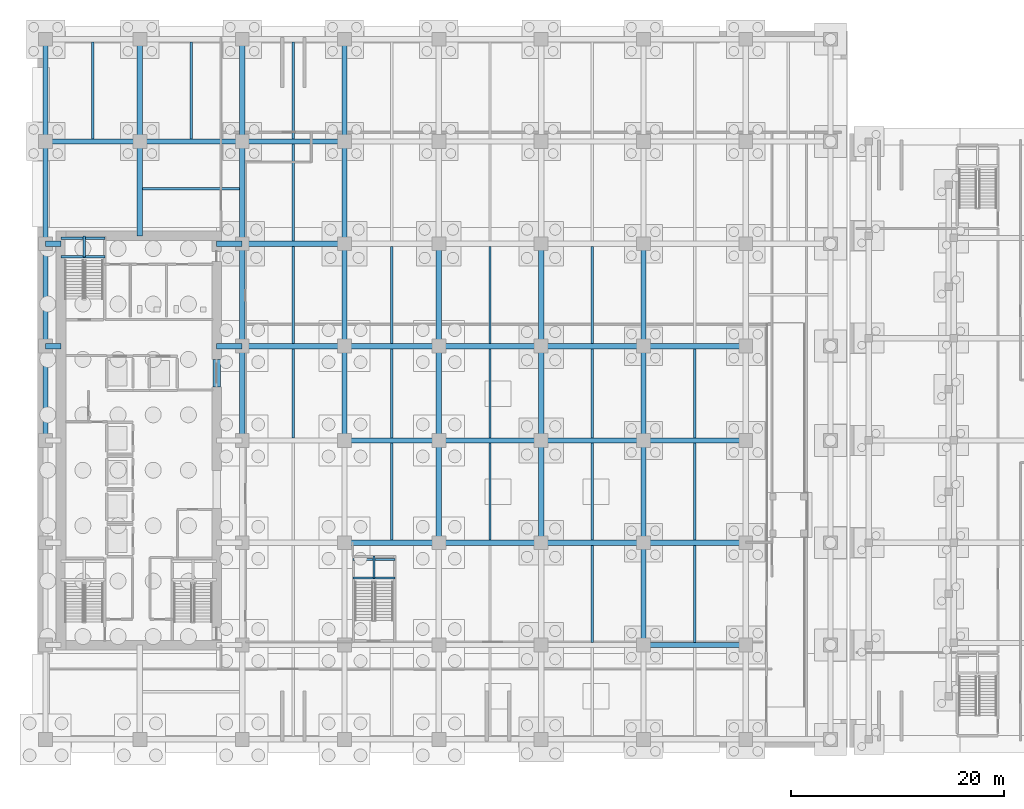
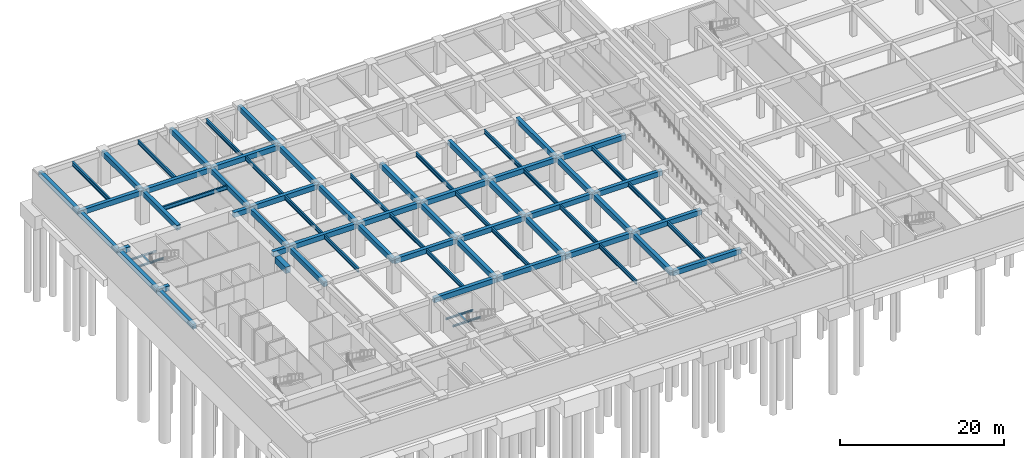
# One storey, part 5 of 20: 73 beams.
"""IFC4 building model written with IfcOpenShell, lengths in metres."""

from ifc_helpers import new_model, si_unit, direction, frame, origin, origin_2d, place, context, subcontext, project, spatial, rectangle, i_section, extrude, material, material_profile, profile_set, type_object, element, save


model = new_model("IFC4")

# Units and contexts
model_context = context("Model", 3, precision=1e-05, world=origin(), true_north=direction((0.0, 1.0)))
body_context = subcontext(model_context, "Body", "Model", "MODEL_VIEW")
ifc_project = project(units=[si_unit("LENGTHUNIT", "METRE"), si_unit("AREAUNIT", "SQUARE_METRE"), si_unit("VOLUMEUNIT", "CUBIC_METRE"), si_unit("PLANEANGLEUNIT", "RADIAN"), si_unit("MASSUNIT", "GRAM", prefix="KILO")], contexts=[model_context])

# Site, building, storey
site_placement = place(None, origin())
site = spatial("IfcSite", under=ifc_project, at=site_placement, CompositionType="ELEMENT")
building_placement = place(site_placement, origin())
building = spatial("IfcBuilding", under=site, at=building_placement, Name="Norrvale University Quadrangle", CompositionType="ELEMENT")
storey_placement = place(building_placement, frame((0.0, 0.0, -5.0)))
storey = spatial("IfcBuildingStorey", under=building, at=storey_placement, Name="B01", CompositionType="ELEMENT", Elevation=-5.0)

# Beams
ifc_material_1 = material(Name="Concrete C80/95", Category="concrete")
ifc_material_profile_1 = material_profile(ifc_material_1, rectangle(XDim=0.699951171875, YDim=0.949951171875, at=origin_2d()), Name="Concrete C80/95")
ifc_profile_set_1 = profile_set([ifc_material_profile_1], Name="Concrete C80/95")
beam_type_1 = type_object("IfcBeamType", Name="Beam Core Link 700x950", PredefinedType="LINTEL", material=ifc_profile_set_1)
beam_1_placement = place(storey_placement, frame((16.800048828125, 33.800048828125, 4.18505859375), z_axis=(0.0, 1.0, 0.0), x_axis=(-1.0, 0.0, 0.0)))
element("IfcBeam", 1, at=beam_1_placement, inside=storey, type_object=beam_type_1, Name="Core Coupling Lintel Beam B01-2", PredefinedType="LINTEL", context=body_context, shape_type="SweptSolid", body=[
    extrude(rectangle(XDim=0.699951171875, YDim=0.949951171875, at=origin_2d()), origin(), (0.0, 0.0, 1.0), 2.599853515625),
])
ifc_material_2 = material(Name="Concrete C60/75", Category="concrete")
ifc_material_profile_2 = material_profile(ifc_material_2, rectangle(XDim=0.5, YDim=0.75, at=origin_2d()), Name="Concrete C60/75")
ifc_profile_set_2 = profile_set([ifc_material_profile_2], Name="Concrete C60/75")
beam_type_2 = type_object("IfcBeamType", Name="Beam Edge 500x750", PredefinedType="BEAM", material=ifc_profile_set_2)
beam_2_placement = place(storey_placement, frame((56.85009765625, 9.60009765625, 4.405029296875), z_axis=(1.0, 0.0, 0.0), x_axis=(0.0, 1.0, 0.0)))
element("IfcBeam", 2, at=beam_2_placement, inside=storey, type_object=beam_type_2, Name="Beam Edge 500x750 BM-B01-GX013", PredefinedType="BEAM", context=body_context, shape_type="SweptSolid", body=[
    extrude(rectangle(XDim=0.5, YDim=0.75, at=origin_2d()), origin(), (0.0, 0.0, 1.0), 9.599853515625),
])
beam_3_placement = place(storey_placement, frame((28.800048828125, 19.199951171875, 4.405029296875), z_axis=(1.0, 0.0, 0.0), x_axis=(0.0, 1.0, 0.0)))
element("IfcBeam", 3, at=beam_3_placement, inside=storey, type_object=beam_type_2, Name="Beam Edge 500x750 BM-B01-GX015", PredefinedType="BEAM", context=body_context, shape_type="SweptSolid", body=[
    extrude(rectangle(XDim=0.5, YDim=0.75, at=origin_2d()), origin(), (0.0, 0.0, 1.0), 8.849853515625),
])
for number, where, z_axis, x_axis, name in (
    (4, (37.64990234375, 19.199951171875, 4.405029296875), (1.0, 0.0, 0.0), (0.0, 1.0, 0.0), "Beam Edge 500x750 BM-B01-GX016"),
    (5, (47.25, 19.199951171875, 4.405029296875), (1.0, 0.0, 0.0), (0.0, 1.0, 0.0), "Beam Edge 500x750 BM-B01-GX017"),
):
    element("IfcBeam", number, at=place(storey_placement, frame(where, z_axis=z_axis, x_axis=x_axis)), inside=storey, type_object=beam_type_2, Name=name, PredefinedType="BEAM", context=body_context, shape_type="SweptSolid", body=[
        extrude(rectangle(XDim=0.5, YDim=0.75, at=origin_2d()), origin(), (0.0, 0.0, 1.0), 9.60009765625),
    ])
beam_4_placement = place(storey_placement, frame((56.85009765625, 19.199951171875, 4.405029296875), z_axis=(1.0, 0.0, 0.0), x_axis=(0.0, 1.0, 0.0)))
element("IfcBeam", 6, at=beam_4_placement, inside=storey, type_object=beam_type_2, Name="Beam Edge 500x750 BM-B01-GX018", PredefinedType="BEAM", context=body_context, shape_type="SweptSolid", body=[
    extrude(rectangle(XDim=0.5, YDim=0.75, at=origin_2d()), origin(), (0.0, 0.0, 1.0), 9.599853515625),
])
beam_5_placement = place(storey_placement, frame((28.800048828125, 28.800048828125, 4.405029296875), z_axis=(1.0, 0.0, 0.0), x_axis=(0.0, 1.0, 0.0)))
element("IfcBeam", 7, at=beam_5_placement, inside=storey, type_object=beam_type_2, Name="Beam Edge 500x750 BM-B01-GX020", PredefinedType="BEAM", context=body_context, shape_type="SweptSolid", body=[
    extrude(rectangle(XDim=0.5, YDim=0.75, at=origin_2d()), origin(), (0.0, 0.0, 1.0), 8.849853515625),
])
for number, where, z_axis, x_axis, name in (
    (8, (37.64990234375, 28.800048828125, 4.405029296875), (1.0, 0.0, 0.0), (0.0, 1.0, 0.0), "Beam Edge 500x750 BM-B01-GX021"),
    (9, (47.25, 28.800048828125, 4.405029296875), (1.0, 0.0, 0.0), (0.0, 1.0, 0.0), "Beam Edge 500x750 BM-B01-GX022"),
):
    element("IfcBeam", number, at=place(storey_placement, frame(where, z_axis=z_axis, x_axis=x_axis)), inside=storey, type_object=beam_type_2, Name=name, PredefinedType="BEAM", context=body_context, shape_type="SweptSolid", body=[
        extrude(rectangle(XDim=0.5, YDim=0.75, at=origin_2d()), origin(), (0.0, 0.0, 1.0), 9.60009765625),
    ])
beam_6_placement = place(storey_placement, frame((56.85009765625, 28.800048828125, 4.405029296875), z_axis=(1.0, 0.0, 0.0), x_axis=(0.0, 1.0, 0.0)))
element("IfcBeam", 10, at=beam_6_placement, inside=storey, type_object=beam_type_2, Name="Beam Edge 500x750 BM-B01-GX023", PredefinedType="BEAM", context=body_context, shape_type="SweptSolid", body=[
    extrude(rectangle(XDim=0.5, YDim=0.75, at=origin_2d()), origin(), (0.0, 0.0, 1.0), 9.599853515625),
])
beam_7_placement = place(storey_placement, frame((19.199951171875, 37.64990234375, 4.405029296875), z_axis=(1.0, 0.0, 0.0), x_axis=(0.0, 1.0, 0.0)))
element("IfcBeam", 11, at=beam_7_placement, inside=storey, type_object=beam_type_2, Name="Beam Edge 500x750 BM-B01-GX024", PredefinedType="BEAM", context=body_context, shape_type="SweptSolid", body=[
    extrude(rectangle(XDim=0.5, YDim=0.75, at=origin_2d()), origin(), (0.0, 0.0, 1.0), 9.60009765625),
])
beam_8_placement = place(storey_placement, frame((28.800048828125, 37.64990234375, 4.405029296875), z_axis=(1.0, 0.0, 0.0), x_axis=(0.0, 1.0, 0.0)))
element("IfcBeam", 12, at=beam_8_placement, inside=storey, type_object=beam_type_2, Name="Beam Edge 500x750 BM-B01-GX025", PredefinedType="BEAM", context=body_context, shape_type="SweptSolid", body=[
    extrude(rectangle(XDim=0.5, YDim=0.75, at=origin_2d()), origin(), (0.0, 0.0, 1.0), 8.849853515625),
])
for number, where, z_axis, x_axis, name in (
    (13, (37.64990234375, 37.64990234375, 4.405029296875), (1.0, 0.0, 0.0), (0.0, 1.0, 0.0), "Beam Edge 500x750 BM-B01-GX026"),
    (14, (47.25, 37.64990234375, 4.405029296875), (1.0, 0.0, 0.0), (0.0, 1.0, 0.0), "Beam Edge 500x750 BM-B01-GX027"),
):
    element("IfcBeam", number, at=place(storey_placement, frame(where, z_axis=z_axis, x_axis=x_axis)), inside=storey, type_object=beam_type_2, Name=name, PredefinedType="BEAM", context=body_context, shape_type="SweptSolid", body=[
        extrude(rectangle(XDim=0.5, YDim=0.75, at=origin_2d()), origin(), (0.0, 0.0, 1.0), 9.60009765625),
    ])
beam_9_placement = place(storey_placement, frame((56.85009765625, 37.64990234375, 4.405029296875), z_axis=(1.0, 0.0, 0.0), x_axis=(0.0, 1.0, 0.0)))
element("IfcBeam", 15, at=beam_9_placement, inside=storey, type_object=beam_type_2, Name="Beam Edge 500x750 BM-B01-GX028", PredefinedType="BEAM", context=body_context, shape_type="SweptSolid", body=[
    extrude(rectangle(XDim=0.5, YDim=0.75, at=origin_2d()), origin(), (0.0, 0.0, 1.0), 9.599853515625),
])
beam_10_placement = place(storey_placement, frame((19.199951171875, 47.25, 4.405029296875), z_axis=(1.0, 0.0, 0.0), x_axis=(0.0, 1.0, 0.0)))
element("IfcBeam", 16, at=beam_10_placement, inside=storey, type_object=beam_type_2, Name="Beam Edge 500x750 BM-B01-GX029", PredefinedType="BEAM", context=body_context, shape_type="SweptSolid", body=[
    extrude(rectangle(XDim=0.5, YDim=0.75, at=origin_2d()), origin(), (0.0, 0.0, 1.0), 9.60009765625),
])
beam_11_placement = place(storey_placement, frame((0.75, 56.85009765625, 4.405029296875), z_axis=(1.0, 0.0, 0.0), x_axis=(0.0, 1.0, 0.0)))
element("IfcBeam", 17, at=beam_11_placement, inside=storey, type_object=beam_type_2, Name="Beam Edge 500x750 BM-B01-GX035", PredefinedType="BEAM", context=body_context, shape_type="SweptSolid", body=[
    extrude(rectangle(XDim=0.5, YDim=0.75, at=origin_2d()), origin(), (0.0, 0.0, 1.0), 8.85009765625),
])
beam_12_placement = place(storey_placement, frame((9.60009765625, 56.85009765625, 4.405029296875), z_axis=(1.0, 0.0, 0.0), x_axis=(0.0, 1.0, 0.0)))
element("IfcBeam", 18, at=beam_12_placement, inside=storey, type_object=beam_type_2, Name="Beam Edge 500x750 BM-B01-GX036", PredefinedType="BEAM", context=body_context, shape_type="SweptSolid", body=[
    extrude(rectangle(XDim=0.5, YDim=0.75, at=origin_2d()), origin(), (0.0, 0.0, 1.0), 9.599853515625),
])
beam_13_placement = place(storey_placement, frame((19.199951171875, 56.85009765625, 4.405029296875), z_axis=(1.0, 0.0, 0.0), x_axis=(0.0, 1.0, 0.0)))
element("IfcBeam", 19, at=beam_13_placement, inside=storey, type_object=beam_type_2, Name="Beam Edge 500x750 BM-B01-GX037", PredefinedType="BEAM", context=body_context, shape_type="SweptSolid", body=[
    extrude(rectangle(XDim=0.5, YDim=0.75, at=origin_2d()), origin(), (0.0, 0.0, 1.0), 9.60009765625),
])
beam_14_placement = place(storey_placement, frame((0.75, 28.800048828125, 4.405029296875), z_axis=(0.0, 1.0, 0.0), x_axis=(-1.0, 0.0, 0.0)))
element("IfcBeam", 20, at=beam_14_placement, inside=storey, type_object=beam_type_2, Name="Beam Edge 500x750 BM-B01-GY054", PredefinedType="BEAM", context=body_context, shape_type="SweptSolid", body=[
    extrude(rectangle(XDim=0.5, YDim=0.75, at=origin_2d()), origin(), (0.0, 0.0, 1.0), 8.849853515625),
])
for number, where, z_axis, x_axis, name in (
    (21, (0.75, 37.64990234375, 4.405029296875), (0.0, 1.0, 0.0), (-1.0, 0.0, 0.0), "Beam Edge 500x750 BM-B01-GY055"),
    (22, (0.75, 47.25, 4.405029296875), (0.0, 1.0, 0.0), (-1.0, 0.0, 0.0), "Beam Edge 500x750 BM-B01-GY056"),
):
    element("IfcBeam", number, at=place(storey_placement, frame(where, z_axis=z_axis, x_axis=x_axis)), inside=storey, type_object=beam_type_2, Name=name, PredefinedType="BEAM", context=body_context, shape_type="SweptSolid", body=[
        extrude(rectangle(XDim=0.5, YDim=0.75, at=origin_2d()), origin(), (0.0, 0.0, 1.0), 9.60009765625),
    ])
for number, where, z_axis, x_axis, name in (
    (23, (0.75, 56.85009765625, 4.405029296875), (0.0, 1.0, 0.0), (-1.0, 0.0, 0.0), "Beam Edge 500x750 BM-B01-GY057"),
    (24, (9.60009765625, 56.85009765625, 4.405029296875), (0.0, 1.0, 0.0), (-1.0, 0.0, 0.0), "Beam Edge 500x750 BM-B01-GY058"),
):
    element("IfcBeam", number, at=place(storey_placement, frame(where, z_axis=z_axis, x_axis=x_axis)), inside=storey, type_object=beam_type_2, Name=name, PredefinedType="BEAM", context=body_context, shape_type="SweptSolid", body=[
        extrude(rectangle(XDim=0.5, YDim=0.75, at=origin_2d()), origin(), (0.0, 0.0, 1.0), 9.599853515625),
    ])
beam_15_placement = place(storey_placement, frame((19.199951171875, 28.800048828125, 4.284912109375), z_axis=(0.0, 1.0, 0.0), x_axis=(-1.0, 0.0, 0.0)))
element("IfcBeam", 25, at=beam_15_placement, inside=storey, type_object=beam_type_2, Name="Beam Edge 500x750 BM-B01-GY062", PredefinedType="BEAM", context=body_context, shape_type="SweptSolid", body=[
    extrude(rectangle(XDim=0.5, YDim=0.75, at=origin_2d()), origin(), (0.0, 0.0, 1.0), 8.849853515625),
])
for number, where, z_axis, x_axis, name in (
    (26, (19.199951171875, 37.64990234375, 4.284912109375), (0.0, 1.0, 0.0), (-1.0, 0.0, 0.0), "Beam Edge 500x750 BM-B01-GY063"),
    (27, (19.199951171875, 47.25, 4.405029296875), (0.0, 1.0, 0.0), (-1.0, 0.0, 0.0), "Beam Edge 500x750 BM-B01-GY064"),
):
    element("IfcBeam", number, at=place(storey_placement, frame(where, z_axis=z_axis, x_axis=x_axis)), inside=storey, type_object=beam_type_2, Name=name, PredefinedType="BEAM", context=body_context, shape_type="SweptSolid", body=[
        extrude(rectangle(XDim=0.5, YDim=0.75, at=origin_2d()), origin(), (0.0, 0.0, 1.0), 9.60009765625),
    ])
beam_16_placement = place(storey_placement, frame((19.199951171875, 56.85009765625, 4.405029296875), z_axis=(0.0, 1.0, 0.0), x_axis=(-1.0, 0.0, 0.0)))
element("IfcBeam", 28, at=beam_16_placement, inside=storey, type_object=beam_type_2, Name="Beam Edge 500x750 BM-B01-GY065", PredefinedType="BEAM", context=body_context, shape_type="SweptSolid", body=[
    extrude(rectangle(XDim=0.5, YDim=0.75, at=origin_2d()), origin(), (0.0, 0.0, 1.0), 9.599853515625),
])
beam_17_placement = place(storey_placement, frame((28.800048828125, 28.800048828125, 4.405029296875), z_axis=(0.0, 1.0, 0.0), x_axis=(-1.0, 0.0, 0.0)))
element("IfcBeam", 29, at=beam_17_placement, inside=storey, type_object=beam_type_2, Name="Beam Edge 500x750 BM-B01-GY069", PredefinedType="BEAM", context=body_context, shape_type="SweptSolid", body=[
    extrude(rectangle(XDim=0.5, YDim=0.75, at=origin_2d()), origin(), (0.0, 0.0, 1.0), 8.849853515625),
])
for number, where, z_axis, x_axis, name in (
    (30, (28.800048828125, 37.64990234375, 4.405029296875), (0.0, 1.0, 0.0), (-1.0, 0.0, 0.0), "Beam Edge 500x750 BM-B01-GY070"),
    (31, (28.800048828125, 47.25, 4.405029296875), (0.0, 1.0, 0.0), (-1.0, 0.0, 0.0), "Beam Edge 500x750 BM-B01-GY071"),
):
    element("IfcBeam", number, at=place(storey_placement, frame(where, z_axis=z_axis, x_axis=x_axis)), inside=storey, type_object=beam_type_2, Name=name, PredefinedType="BEAM", context=body_context, shape_type="SweptSolid", body=[
        extrude(rectangle(XDim=0.5, YDim=0.75, at=origin_2d()), origin(), (0.0, 0.0, 1.0), 9.60009765625),
    ])
beam_18_placement = place(storey_placement, frame((28.800048828125, 56.85009765625, 4.405029296875), z_axis=(0.0, 1.0, 0.0), x_axis=(-1.0, 0.0, 0.0)))
element("IfcBeam", 32, at=beam_18_placement, inside=storey, type_object=beam_type_2, Name="Beam Edge 500x750 BM-B01-GY072", PredefinedType="BEAM", context=body_context, shape_type="SweptSolid", body=[
    extrude(rectangle(XDim=0.5, YDim=0.75, at=origin_2d()), origin(), (0.0, 0.0, 1.0), 9.599853515625),
])
beam_19_placement = place(storey_placement, frame((37.64990234375, 19.199951171875, 4.405029296875), z_axis=(0.0, 1.0, 0.0), x_axis=(-1.0, 0.0, 0.0)))
element("IfcBeam", 33, at=beam_19_placement, inside=storey, type_object=beam_type_2, Name="Beam Edge 500x750 BM-B01-GY075", PredefinedType="BEAM", context=body_context, shape_type="SweptSolid", body=[
    extrude(rectangle(XDim=0.5, YDim=0.75, at=origin_2d()), origin(), (0.0, 0.0, 1.0), 9.60009765625),
])
beam_20_placement = place(storey_placement, frame((37.64990234375, 28.800048828125, 4.405029296875), z_axis=(0.0, 1.0, 0.0), x_axis=(-1.0, 0.0, 0.0)))
element("IfcBeam", 34, at=beam_20_placement, inside=storey, type_object=beam_type_2, Name="Beam Edge 500x750 BM-B01-GY076", PredefinedType="BEAM", context=body_context, shape_type="SweptSolid", body=[
    extrude(rectangle(XDim=0.5, YDim=0.75, at=origin_2d()), origin(), (0.0, 0.0, 1.0), 8.849853515625),
])
for number, where, z_axis, x_axis, name in (
    (35, (37.64990234375, 37.64990234375, 4.405029296875), (0.0, 1.0, 0.0), (-1.0, 0.0, 0.0), "Beam Edge 500x750 BM-B01-GY077"),
    (36, (47.25, 19.199951171875, 4.405029296875), (0.0, 1.0, 0.0), (-1.0, 0.0, 0.0), "Beam Edge 500x750 BM-B01-GY082"),
):
    element("IfcBeam", number, at=place(storey_placement, frame(where, z_axis=z_axis, x_axis=x_axis)), inside=storey, type_object=beam_type_2, Name=name, PredefinedType="BEAM", context=body_context, shape_type="SweptSolid", body=[
        extrude(rectangle(XDim=0.5, YDim=0.75, at=origin_2d()), origin(), (0.0, 0.0, 1.0), 9.60009765625),
    ])
beam_21_placement = place(storey_placement, frame((47.25, 28.800048828125, 4.405029296875), z_axis=(0.0, 1.0, 0.0), x_axis=(-1.0, 0.0, 0.0)))
element("IfcBeam", 37, at=beam_21_placement, inside=storey, type_object=beam_type_2, Name="Beam Edge 500x750 BM-B01-GY083", PredefinedType="BEAM", context=body_context, shape_type="SweptSolid", body=[
    extrude(rectangle(XDim=0.5, YDim=0.75, at=origin_2d()), origin(), (0.0, 0.0, 1.0), 8.849853515625),
])
beam_22_placement = place(storey_placement, frame((47.25, 37.64990234375, 4.405029296875), z_axis=(0.0, 1.0, 0.0), x_axis=(-1.0, 0.0, 0.0)))
element("IfcBeam", 38, at=beam_22_placement, inside=storey, type_object=beam_type_2, Name="Beam Edge 500x750 BM-B01-GY084", PredefinedType="BEAM", context=body_context, shape_type="SweptSolid", body=[
    extrude(rectangle(XDim=0.5, YDim=0.75, at=origin_2d()), origin(), (0.0, 0.0, 1.0), 9.60009765625),
])
beam_23_placement = place(storey_placement, frame((56.85009765625, 9.60009765625, 4.405029296875), z_axis=(0.0, 1.0, 0.0), x_axis=(-1.0, 0.0, 0.0)))
element("IfcBeam", 39, at=beam_23_placement, inside=storey, type_object=beam_type_2, Name="Beam Edge 500x750 BM-B01-GY088", PredefinedType="BEAM", context=body_context, shape_type="SweptSolid", body=[
    extrude(rectangle(XDim=0.5, YDim=0.75, at=origin_2d()), origin(), (0.0, 0.0, 1.0), 9.599853515625),
])
beam_24_placement = place(storey_placement, frame((56.85009765625, 19.199951171875, 4.405029296875), z_axis=(0.0, 1.0, 0.0), x_axis=(-1.0, 0.0, 0.0)))
element("IfcBeam", 40, at=beam_24_placement, inside=storey, type_object=beam_type_2, Name="Beam Edge 500x750 BM-B01-GY089", PredefinedType="BEAM", context=body_context, shape_type="SweptSolid", body=[
    extrude(rectangle(XDim=0.5, YDim=0.75, at=origin_2d()), origin(), (0.0, 0.0, 1.0), 9.60009765625),
])
beam_25_placement = place(storey_placement, frame((56.85009765625, 28.800048828125, 4.405029296875), z_axis=(0.0, 1.0, 0.0), x_axis=(-1.0, 0.0, 0.0)))
element("IfcBeam", 41, at=beam_25_placement, inside=storey, type_object=beam_type_2, Name="Beam Edge 500x750 BM-B01-GY090", PredefinedType="BEAM", context=body_context, shape_type="SweptSolid", body=[
    extrude(rectangle(XDim=0.5, YDim=0.75, at=origin_2d()), origin(), (0.0, 0.0, 1.0), 8.849853515625),
])
beam_26_placement = place(storey_placement, frame((56.85009765625, 37.64990234375, 4.405029296875), z_axis=(0.0, 1.0, 0.0), x_axis=(-1.0, 0.0, 0.0)))
element("IfcBeam", 42, at=beam_26_placement, inside=storey, type_object=beam_type_2, Name="Beam Edge 500x750 BM-B01-GY091", PredefinedType="BEAM", context=body_context, shape_type="SweptSolid", body=[
    extrude(rectangle(XDim=0.5, YDim=0.75, at=origin_2d()), origin(), (0.0, 0.0, 1.0), 9.60009765625),
])
beam_27_placement = place(storey_placement, frame((0.75, 37.64990234375, 4.405029296875), z_axis=(1.0, 0.0, 0.0), x_axis=(0.0, 1.0, 0.0)))
element("IfcBeam", 43, at=beam_27_placement, inside=storey, type_object=beam_type_2, Name="Beam Edge 500x750 BM-B01-GCW114", PredefinedType="BEAM", context=body_context, shape_type="SweptSolid", body=[
    extrude(rectangle(XDim=0.5, YDim=0.75, at=origin_2d()), origin(), (0.0, 0.0, 1.0), 1.449951171875),
])
beam_28_placement = place(storey_placement, frame((16.800048828125, 37.64990234375, 4.284912109375), z_axis=(1.0, 0.0, 0.0), x_axis=(0.0, 1.0, 0.0)))
element("IfcBeam", 44, at=beam_28_placement, inside=storey, type_object=beam_type_2, Name="Beam Edge 500x750 BM-B01-GCE115", PredefinedType="BEAM", context=body_context, shape_type="SweptSolid", body=[
    extrude(rectangle(XDim=0.5, YDim=0.75, at=origin_2d()), origin(), (0.0, 0.0, 1.0), 2.39990234375),
])
beam_29_placement = place(storey_placement, frame((0.75, 47.25, 4.405029296875), z_axis=(1.0, 0.0, 0.0), x_axis=(0.0, 1.0, 0.0)))
element("IfcBeam", 45, at=beam_29_placement, inside=storey, type_object=beam_type_2, Name="Beam Edge 500x750 BM-B01-GCW116", PredefinedType="BEAM", context=body_context, shape_type="SweptSolid", body=[
    extrude(rectangle(XDim=0.5, YDim=0.75, at=origin_2d()), origin(), (0.0, 0.0, 1.0), 1.449951171875),
])
beam_30_placement = place(storey_placement, frame((16.800048828125, 47.25, 4.284912109375), z_axis=(1.0, 0.0, 0.0), x_axis=(0.0, 1.0, 0.0)))
element("IfcBeam", 46, at=beam_30_placement, inside=storey, type_object=beam_type_2, Name="Beam Edge 500x750 BM-B01-GCE117", PredefinedType="BEAM", context=body_context, shape_type="SweptSolid", body=[
    extrude(rectangle(XDim=0.5, YDim=0.75, at=origin_2d()), origin(), (0.0, 0.0, 1.0), 2.39990234375),
])
beam_31_placement = place(storey_placement, frame((9.60009765625, 48.0, 4.405029296875), z_axis=(0.0, 1.0, 0.0), x_axis=(-1.0, 0.0, 0.0)))
element("IfcBeam", 47, at=beam_31_placement, inside=storey, type_object=beam_type_2, Name="Beam Edge 500x750 BM-B01-GCN159", PredefinedType="BEAM", context=body_context, shape_type="SweptSolid", body=[
    extrude(rectangle(XDim=0.5, YDim=0.75, at=origin_2d()), origin(), (0.0, 0.0, 1.0), 8.85009765625),
])
ifc_material_3 = material(Name="Steel 350W", Category="steel")
ifc_material_profile_3 = material_profile(ifc_material_3, i_section(OverallWidth=0.22998046875, OverallDepth=0.616943359375, WebThickness=0.01318359375, FlangeThickness=0.022216796875, FilletRadius=0.01611328125, at=origin_2d()), Name="Steel 350W")
ifc_profile_set_3 = profile_set([ifc_material_profile_3], Name="Steel 350W")
beam_type_3 = type_object("IfcBeamType", Name="Beam Floor W610x140", PredefinedType="BEAM", material=ifc_profile_set_3)
for number, where, z_axis, x_axis, name in (
    (48, (5.175048828125, 57.10009765625, 4.471435546875), (0.0, 1.0, 0.0), (-1.0, 0.0, 0.0), "Beam Floor W610x140 BM-B01-J118"),
    (49, (14.39990234375, 57.10009765625, 4.471435546875), (0.0, 1.0, 0.0), (-1.0, 0.0, 0.0), "Beam Floor W610x140 BM-B01-J119"),
):
    element("IfcBeam", number, at=place(storey_placement, frame(where, z_axis=z_axis, x_axis=x_axis)), inside=storey, type_object=beam_type_3, Name=name, PredefinedType="BEAM", context=body_context, shape_type="SweptSolid", body=[
        extrude(i_section(OverallWidth=0.22998046875, OverallDepth=0.616943359375, WebThickness=0.01318359375, FlangeThickness=0.022216796875, FilletRadius=0.01611328125, at=origin_2d()), origin(), (0.0, 0.0, 1.0), 9.099853515625),
    ])
beam_32_placement = place(storey_placement, frame((24.0, 29.050048828125, 4.471435546875), z_axis=(0.0, 1.0, 0.0), x_axis=(-1.0, 0.0, 0.0)))
element("IfcBeam", 50, at=beam_32_placement, inside=storey, type_object=beam_type_3, Name="Beam Floor W610x140 BM-B01-J123", PredefinedType="BEAM", context=body_context, shape_type="SweptSolid", body=[
    extrude(i_section(OverallWidth=0.22998046875, OverallDepth=0.616943359375, WebThickness=0.01318359375, FlangeThickness=0.022216796875, FilletRadius=0.01611328125, at=origin_2d()), origin(), (0.0, 0.0, 1.0), 8.349853515625),
])
for number, where, z_axis, x_axis, name in (
    (51, (24.0, 37.89990234375, 4.471435546875), (0.0, 1.0, 0.0), (-1.0, 0.0, 0.0), "Beam Floor W610x140 BM-B01-J124"),
    (52, (24.0, 47.5, 4.471435546875), (0.0, 1.0, 0.0), (-1.0, 0.0, 0.0), "Beam Floor W610x140 BM-B01-J125"),
):
    element("IfcBeam", number, at=place(storey_placement, frame(where, z_axis=z_axis, x_axis=x_axis)), inside=storey, type_object=beam_type_3, Name=name, PredefinedType="BEAM", context=body_context, shape_type="SweptSolid", body=[
        extrude(i_section(OverallWidth=0.22998046875, OverallDepth=0.616943359375, WebThickness=0.01318359375, FlangeThickness=0.022216796875, FilletRadius=0.01611328125, at=origin_2d()), origin(), (0.0, 0.0, 1.0), 9.10009765625),
    ])
beam_33_placement = place(storey_placement, frame((24.0, 57.10009765625, 4.2314453125), z_axis=(0.0, 1.0, 0.0), x_axis=(-1.0, 0.0, 0.0)))
element("IfcBeam", 53, at=beam_33_placement, inside=storey, type_object=beam_type_3, Name="Beam Floor W610x140 BM-B01-J126", PredefinedType="BEAM", context=body_context, shape_type="SweptSolid", body=[
    extrude(i_section(OverallWidth=0.22998046875, OverallDepth=0.616943359375, WebThickness=0.01318359375, FlangeThickness=0.022216796875, FilletRadius=0.01611328125, at=origin_2d()), origin(), (0.0, 0.0, 1.0), 9.099853515625),
])
beam_34_placement = place(storey_placement, frame((33.22509765625, 19.449951171875, 4.471435546875), z_axis=(0.0, 1.0, 0.0), x_axis=(-1.0, 0.0, 0.0)))
element("IfcBeam", 54, at=beam_34_placement, inside=storey, type_object=beam_type_3, Name="Beam Floor W610x140 BM-B01-J128", PredefinedType="BEAM", context=body_context, shape_type="SweptSolid", body=[
    extrude(i_section(OverallWidth=0.22998046875, OverallDepth=0.616943359375, WebThickness=0.01318359375, FlangeThickness=0.022216796875, FilletRadius=0.01611328125, at=origin_2d()), origin(), (0.0, 0.0, 1.0), 9.10009765625),
])
beam_35_placement = place(storey_placement, frame((33.22509765625, 29.050048828125, 4.471435546875), z_axis=(0.0, 1.0, 0.0), x_axis=(-1.0, 0.0, 0.0)))
element("IfcBeam", 55, at=beam_35_placement, inside=storey, type_object=beam_type_3, Name="Beam Floor W610x140 BM-B01-J129", PredefinedType="BEAM", context=body_context, shape_type="SweptSolid", body=[
    extrude(i_section(OverallWidth=0.22998046875, OverallDepth=0.616943359375, WebThickness=0.01318359375, FlangeThickness=0.022216796875, FilletRadius=0.01611328125, at=origin_2d()), origin(), (0.0, 0.0, 1.0), 8.349853515625),
])
for number, where, z_axis, x_axis, name in (
    (56, (33.22509765625, 37.89990234375, 4.471435546875), (0.0, 1.0, 0.0), (-1.0, 0.0, 0.0), "Beam Floor W610x140 BM-B01-J130"),
    (57, (42.449951171875, 19.449951171875, 4.471435546875), (0.0, 1.0, 0.0), (-1.0, 0.0, 0.0), "Beam Floor W610x140 BM-B01-J135"),
):
    element("IfcBeam", number, at=place(storey_placement, frame(where, z_axis=z_axis, x_axis=x_axis)), inside=storey, type_object=beam_type_3, Name=name, PredefinedType="BEAM", context=body_context, shape_type="SweptSolid", body=[
        extrude(i_section(OverallWidth=0.22998046875, OverallDepth=0.616943359375, WebThickness=0.01318359375, FlangeThickness=0.022216796875, FilletRadius=0.01611328125, at=origin_2d()), origin(), (0.0, 0.0, 1.0), 9.10009765625),
    ])
beam_36_placement = place(storey_placement, frame((42.449951171875, 29.050048828125, 4.471435546875), z_axis=(0.0, 1.0, 0.0), x_axis=(-1.0, 0.0, 0.0)))
element("IfcBeam", 58, at=beam_36_placement, inside=storey, type_object=beam_type_3, Name="Beam Floor W610x140 BM-B01-J136", PredefinedType="BEAM", context=body_context, shape_type="SweptSolid", body=[
    extrude(i_section(OverallWidth=0.22998046875, OverallDepth=0.616943359375, WebThickness=0.01318359375, FlangeThickness=0.022216796875, FilletRadius=0.01611328125, at=origin_2d()), origin(), (0.0, 0.0, 1.0), 8.349853515625),
])
beam_37_placement = place(storey_placement, frame((42.449951171875, 37.89990234375, 4.471435546875), z_axis=(0.0, 1.0, 0.0), x_axis=(-1.0, 0.0, 0.0)))
element("IfcBeam", 59, at=beam_37_placement, inside=storey, type_object=beam_type_3, Name="Beam Floor W610x140 BM-B01-J137", PredefinedType="BEAM", context=body_context, shape_type="SweptSolid", body=[
    extrude(i_section(OverallWidth=0.22998046875, OverallDepth=0.616943359375, WebThickness=0.01318359375, FlangeThickness=0.022216796875, FilletRadius=0.01611328125, at=origin_2d()), origin(), (0.0, 0.0, 1.0), 9.10009765625),
])
beam_38_placement = place(storey_placement, frame((52.050048828125, 9.85009765625, 4.471435546875), z_axis=(0.0, 1.0, 0.0), x_axis=(-1.0, 0.0, 0.0)))
element("IfcBeam", 60, at=beam_38_placement, inside=storey, type_object=beam_type_3, Name="Beam Floor W610x140 BM-B01-J141", PredefinedType="BEAM", context=body_context, shape_type="SweptSolid", body=[
    extrude(i_section(OverallWidth=0.22998046875, OverallDepth=0.616943359375, WebThickness=0.01318359375, FlangeThickness=0.022216796875, FilletRadius=0.01611328125, at=origin_2d()), origin(), (0.0, 0.0, 1.0), 9.099853515625),
])
beam_39_placement = place(storey_placement, frame((52.050048828125, 19.449951171875, 4.471435546875), z_axis=(0.0, 1.0, 0.0), x_axis=(-1.0, 0.0, 0.0)))
element("IfcBeam", 61, at=beam_39_placement, inside=storey, type_object=beam_type_3, Name="Beam Floor W610x140 BM-B01-J142", PredefinedType="BEAM", context=body_context, shape_type="SweptSolid", body=[
    extrude(i_section(OverallWidth=0.22998046875, OverallDepth=0.616943359375, WebThickness=0.01318359375, FlangeThickness=0.022216796875, FilletRadius=0.01611328125, at=origin_2d()), origin(), (0.0, 0.0, 1.0), 9.10009765625),
])
beam_40_placement = place(storey_placement, frame((52.050048828125, 29.050048828125, 4.471435546875), z_axis=(0.0, 1.0, 0.0), x_axis=(-1.0, 0.0, 0.0)))
element("IfcBeam", 62, at=beam_40_placement, inside=storey, type_object=beam_type_3, Name="Beam Floor W610x140 BM-B01-J143", PredefinedType="BEAM", context=body_context, shape_type="SweptSolid", body=[
    extrude(i_section(OverallWidth=0.22998046875, OverallDepth=0.616943359375, WebThickness=0.01318359375, FlangeThickness=0.022216796875, FilletRadius=0.01611328125, at=origin_2d()), origin(), (0.0, 0.0, 1.0), 8.349853515625),
])
beam_41_placement = place(storey_placement, frame((52.050048828125, 37.89990234375, 4.471435546875), z_axis=(0.0, 1.0, 0.0), x_axis=(-1.0, 0.0, 0.0)))
element("IfcBeam", 63, at=beam_41_placement, inside=storey, type_object=beam_type_3, Name="Beam Floor W610x140 BM-B01-J144", PredefinedType="BEAM", context=body_context, shape_type="SweptSolid", body=[
    extrude(i_section(OverallWidth=0.22998046875, OverallDepth=0.616943359375, WebThickness=0.01318359375, FlangeThickness=0.022216796875, FilletRadius=0.01611328125, at=origin_2d()), origin(), (0.0, 0.0, 1.0), 9.10009765625),
])
beam_42_placement = place(storey_placement, frame((61.64990234375, 9.85009765625, 4.471435546875), z_axis=(0.0, 1.0, 0.0), x_axis=(-1.0, 0.0, 0.0)))
element("IfcBeam", 64, at=beam_42_placement, inside=storey, type_object=beam_type_3, Name="Beam Floor W610x140 BM-B01-J148", PredefinedType="BEAM", context=body_context, shape_type="SweptSolid", body=[
    extrude(i_section(OverallWidth=0.22998046875, OverallDepth=0.616943359375, WebThickness=0.01318359375, FlangeThickness=0.022216796875, FilletRadius=0.01611328125, at=origin_2d()), origin(), (0.0, 0.0, 1.0), 9.099853515625),
])
beam_43_placement = place(storey_placement, frame((61.64990234375, 19.449951171875, 4.471435546875), z_axis=(0.0, 1.0, 0.0), x_axis=(-1.0, 0.0, 0.0)))
element("IfcBeam", 65, at=beam_43_placement, inside=storey, type_object=beam_type_3, Name="Beam Floor W610x140 BM-B01-J149", PredefinedType="BEAM", context=body_context, shape_type="SweptSolid", body=[
    extrude(i_section(OverallWidth=0.22998046875, OverallDepth=0.616943359375, WebThickness=0.01318359375, FlangeThickness=0.022216796875, FilletRadius=0.01611328125, at=origin_2d()), origin(), (0.0, 0.0, 1.0), 9.10009765625),
])
beam_44_placement = place(storey_placement, frame((61.64990234375, 29.050048828125, 4.471435546875), z_axis=(0.0, 1.0, 0.0), x_axis=(-1.0, 0.0, 0.0)))
element("IfcBeam", 66, at=beam_44_placement, inside=storey, type_object=beam_type_3, Name="Beam Floor W610x140 BM-B01-J150", PredefinedType="BEAM", context=body_context, shape_type="SweptSolid", body=[
    extrude(i_section(OverallWidth=0.22998046875, OverallDepth=0.616943359375, WebThickness=0.01318359375, FlangeThickness=0.022216796875, FilletRadius=0.01611328125, at=origin_2d()), origin(), (0.0, 0.0, 1.0), 8.349853515625),
])
beam_45_placement = place(storey_placement, frame((9.85009765625, 52.39990234375, 4.471435546875), z_axis=(1.0, 0.0, 0.0), x_axis=(0.0, 1.0, 0.0)))
element("IfcBeam", 67, at=beam_45_placement, inside=storey, type_object=beam_type_3, Name="Beam Floor W610x140 BM-B01-JCN160", PredefinedType="BEAM", context=body_context, shape_type="SweptSolid", body=[
    extrude(i_section(OverallWidth=0.22998046875, OverallDepth=0.616943359375, WebThickness=0.01318359375, FlangeThickness=0.022216796875, FilletRadius=0.01611328125, at=origin_2d()), origin(), (0.0, 0.0, 1.0), 9.099853515625),
])
ifc_material_profile_4 = material_profile(ifc_material_3, i_section(OverallWidth=0.201904296875, OverallDepth=0.2470703125, WebThickness=0.00732421875, FlangeThickness=0.010986328125, FilletRadius=0.011962890625, at=origin_2d()), Name="Steel 350W")
ifc_profile_set_4 = profile_set([ifc_material_profile_4], Name="Steel 350W")
beam_type_4 = type_object("IfcBeamType", Name="Beam Stair W250x49", PredefinedType="BEAM", material=ifc_profile_set_4)
for number, where, z_axis, x_axis, name in (
    (68, (2.199951171875, 46.030029296875, 2.176513671875), (1.0, 0.0, 0.0), (0.0, 1.0, 0.0), "Stair Mid-Landing Front Beam ST-02 B01"),
    (69, (2.199951171875, 47.77001953125, 2.176513671875), (1.0, 0.0, 0.0), (0.0, 1.0, 0.0), "Stair Mid-Landing Rear Beam ST-02 B01"),
):
    element("IfcBeam", number, at=place(storey_placement, frame(where, z_axis=z_axis, x_axis=x_axis)), inside=storey, type_object=beam_type_4, Name=name, PredefinedType="BEAM", context=body_context, shape_type="SweptSolid", body=[
        extrude(i_section(OverallWidth=0.201904296875, OverallDepth=0.2470703125, WebThickness=0.00732421875, FlangeThickness=0.010986328125, FilletRadius=0.011962890625, at=origin_2d()), origin(), (0.0, 0.0, 1.0), 4.14013671875),
    ])
for number, where, z_axis, x_axis, name in (
    (70, (29.610107421875, 15.8798828125, 2.176513671875), (1.0, 0.0, 0.0), (0.0, 1.0, 0.0), "Stair Mid-Landing Front Beam ST-04 B01"),
    (71, (29.610107421875, 17.6201171875, 2.176513671875), (1.0, 0.0, 0.0), (0.0, 1.0, 0.0), "Stair Mid-Landing Rear Beam ST-04 B01"),
):
    element("IfcBeam", number, at=place(storey_placement, frame(where, z_axis=z_axis, x_axis=x_axis)), inside=storey, type_object=beam_type_4, Name=name, PredefinedType="BEAM", context=body_context, shape_type="SweptSolid", body=[
        extrude(i_section(OverallWidth=0.201904296875, OverallDepth=0.2470703125, WebThickness=0.00732421875, FlangeThickness=0.010986328125, FilletRadius=0.011962890625, at=origin_2d()), origin(), (0.0, 0.0, 1.0), 3.929931640625),
    ])
ifc_material_profile_5 = material_profile(ifc_material_3, i_section(OverallWidth=0.202880859375, OverallDepth=0.202880859375, WebThickness=0.007080078125, FlangeThickness=0.010986328125, FilletRadius=0.010009765625, at=origin_2d()), Name="Steel 350W")
ifc_profile_set_5 = profile_set([ifc_material_profile_5], Name="Steel 350W")
beam_type_5 = type_object("IfcBeamType", Name="Beam Trim W200x46", PredefinedType="BEAM", material=ifc_profile_set_5)
beam_46_placement = place(storey_placement, frame((4.375, 46.030029296875, 2.198486328125), z_axis=(0.0, 1.0, 0.0), x_axis=(-1.0, 0.0, 0.0)))
element("IfcBeam", 72, at=beam_46_placement, inside=storey, type_object=beam_type_5, Name="Stair Mid-Landing Cross Beam ST-02 B01", PredefinedType="BEAM", context=body_context, shape_type="SweptSolid", body=[
    extrude(i_section(OverallWidth=0.202880859375, OverallDepth=0.202880859375, WebThickness=0.007080078125, FlangeThickness=0.010986328125, FilletRadius=0.010009765625, at=origin_2d()), origin(), (0.0, 0.0, 1.0), 1.969970703125),
])
beam_47_placement = place(storey_placement, frame((31.574951171875, 15.8798828125, 2.198486328125), z_axis=(0.0, 1.0, 0.0), x_axis=(-1.0, 0.0, 0.0)))
element("IfcBeam", 73, at=beam_47_placement, inside=storey, type_object=beam_type_5, Name="Stair Mid-Landing Cross Beam ST-04 B01", PredefinedType="BEAM", context=body_context, shape_type="SweptSolid", body=[
    extrude(i_section(OverallWidth=0.202880859375, OverallDepth=0.202880859375, WebThickness=0.007080078125, FlangeThickness=0.010986328125, FilletRadius=0.010009765625, at=origin_2d()), origin(), (0.0, 0.0, 1.0), 2.06005859375),
])

save(model, "model.ifc")
